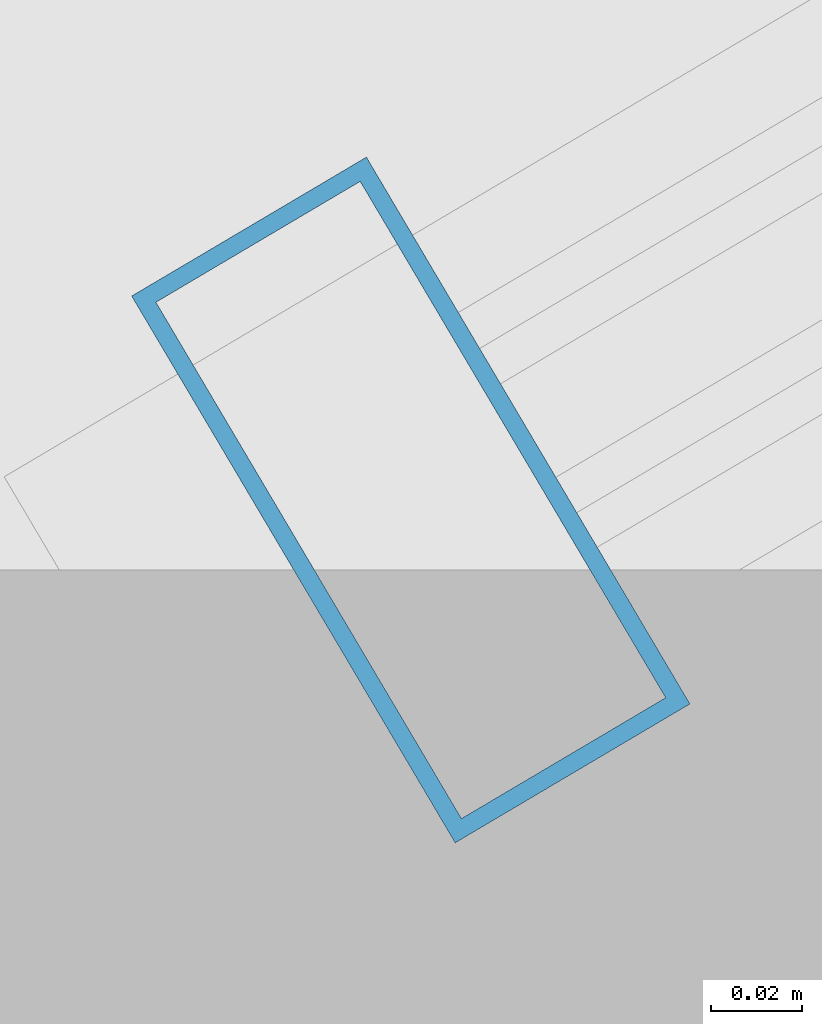
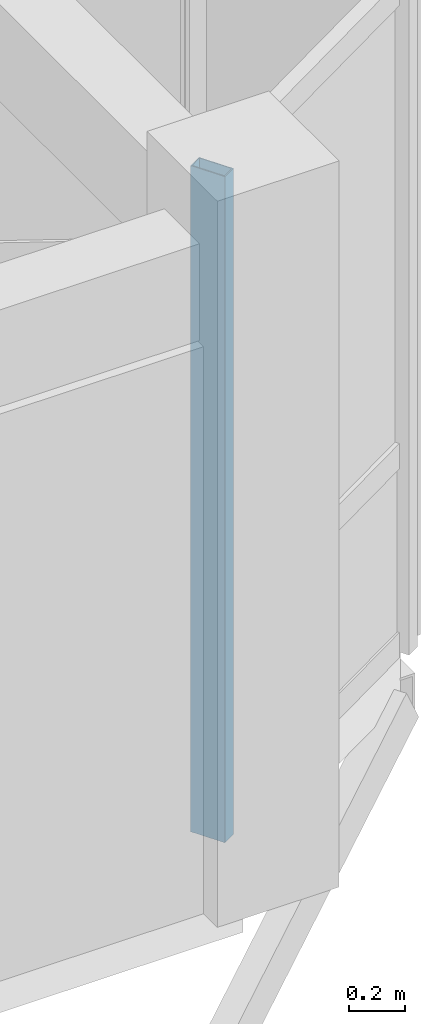
# One storey, part 22 of 70: 1 member, 1 element without a shape of its own.
"""IFC4 building model written with IfcOpenShell, lengths in metres."""

from ifc_helpers import new_model, si_unit, direction, frame, origin, origin_2d, place, context, subcontext, project, spatial, hollow_rectangle, extrude, material, layer, layer_set, material_profile, profile_set, type_object, element, aggregate, save


model = new_model("IFC4")

# Units and contexts
model_context = context("Model", 3, precision=1e-05, world=origin(), true_north=direction((0.0, 1.0)))
body_context = subcontext(model_context, "Body", "Model", "MODEL_VIEW")
ifc_project = project(units=[si_unit("LENGTHUNIT", "METRE"), si_unit("AREAUNIT", "SQUARE_METRE"), si_unit("VOLUMEUNIT", "CUBIC_METRE"), si_unit("PLANEANGLEUNIT", "RADIAN"), si_unit("MASSUNIT", "GRAM", prefix="KILO"), si_unit("THERMODYNAMICTEMPERATUREUNIT", "KELVIN"), si_unit("POWERUNIT", "WATT")], contexts=[model_context])

# Site, building, storey
site_placement = place(None, origin())
site = spatial("IfcSite", under=ifc_project, at=site_placement, CompositionType="ELEMENT")
building_placement = place(site_placement, origin())
building = spatial("IfcBuilding", under=site, at=building_placement, Name="Tavuni Mirador Residences", CompositionType="ELEMENT")
storey_placement = place(building_placement, frame((0.0, 0.0, 23.39990234375)))
storey = spatial("IfcBuildingStorey", under=building, at=storey_placement, Name="L07", CompositionType="ELEMENT", Elevation=23.39990234375)

# Curtain wall, member
ifc_material = material(Name="Anodised aluminium", Category="aluminium")
ifc_layer = layer(ifc_material, 0.1650390625, Name="Anodised aluminium", Category="aluminium")
ifc_layer_set = layer_set([ifc_layer], Name="Anodised aluminium")
curtain_wall_type = type_object("IfcCurtainWallType", Name="CWT-MIR-A", PredefinedType="NOTDEFINED", material=ifc_layer_set)
curtain_wall_placement = place(storey_placement, origin())
curtain_wall = element("IfcCurtainWall", 1, at=curtain_wall_placement, inside=storey, type_object=curtain_wall_type, Name="CW-MIR-D-E1-L07-M1", PredefinedType="NOTDEFINED")
ifc_material_profile = material_profile(ifc_material, hollow_rectangle(XDim=0.06005859375, YDim=0.139892578125, WallThickness=0.00390625, at=origin_2d()), Name="ALU 60x140x4.0", Category="aluminium")
ifc_profile_set = profile_set([ifc_material_profile], Name="Anodised aluminium")
member_type = type_object("IfcMemberType", Name="CWM-140", PredefinedType="MULLION", material=ifc_profile_set)
member_placement = place(storey_placement, frame((118.825927734375, 86.665283203125, 0.0), z_axis=(0.0, 0.0, 1.0), x_axis=(0.860640830284, 0.509212491254, 0.0)))
member = element("IfcMember", 2, at=member_placement, type_object=member_type, Name="CW-01 mullion 1", PredefinedType="MULLION", context=body_context, shape_type="SweptSolid", body=[
    extrude(hollow_rectangle(XDim=0.06005859375, YDim=0.139892578125, WallThickness=0.00390625, at=origin_2d()), origin(), (0.0, 0.0, 1.0), 2.89013671875),
])
aggregate(curtain_wall, [member])

save(model, "model.ifc")
